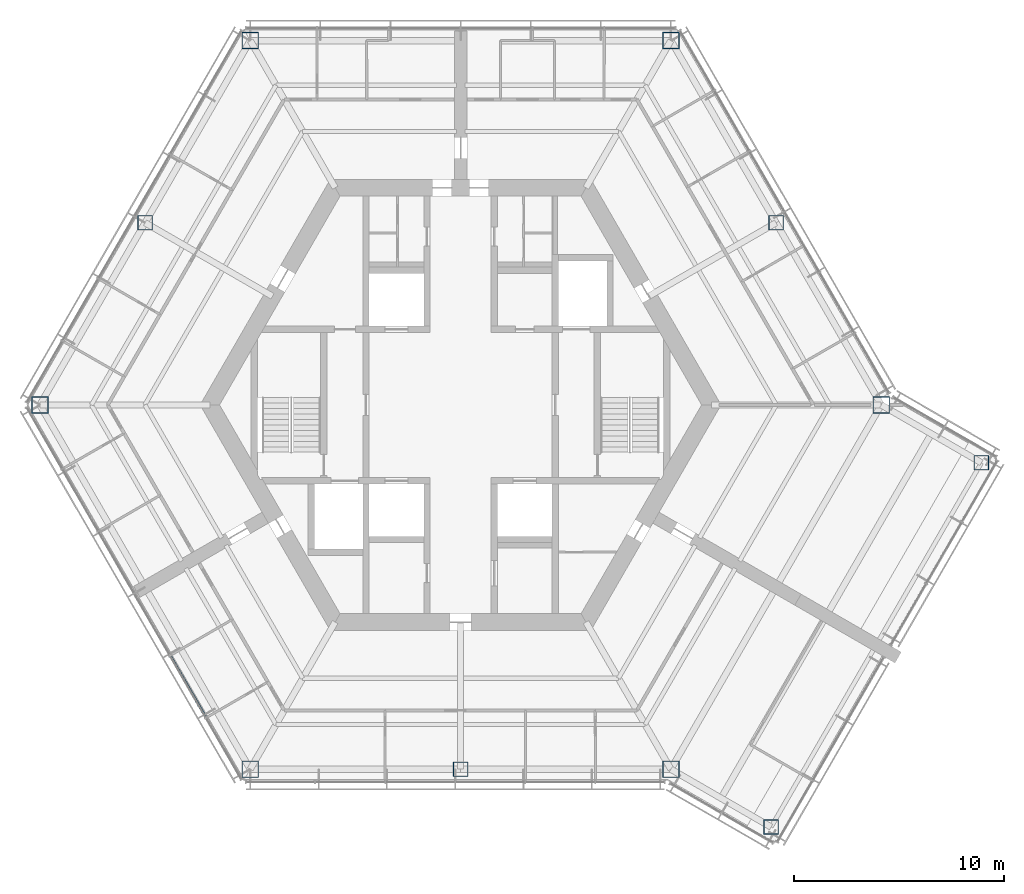
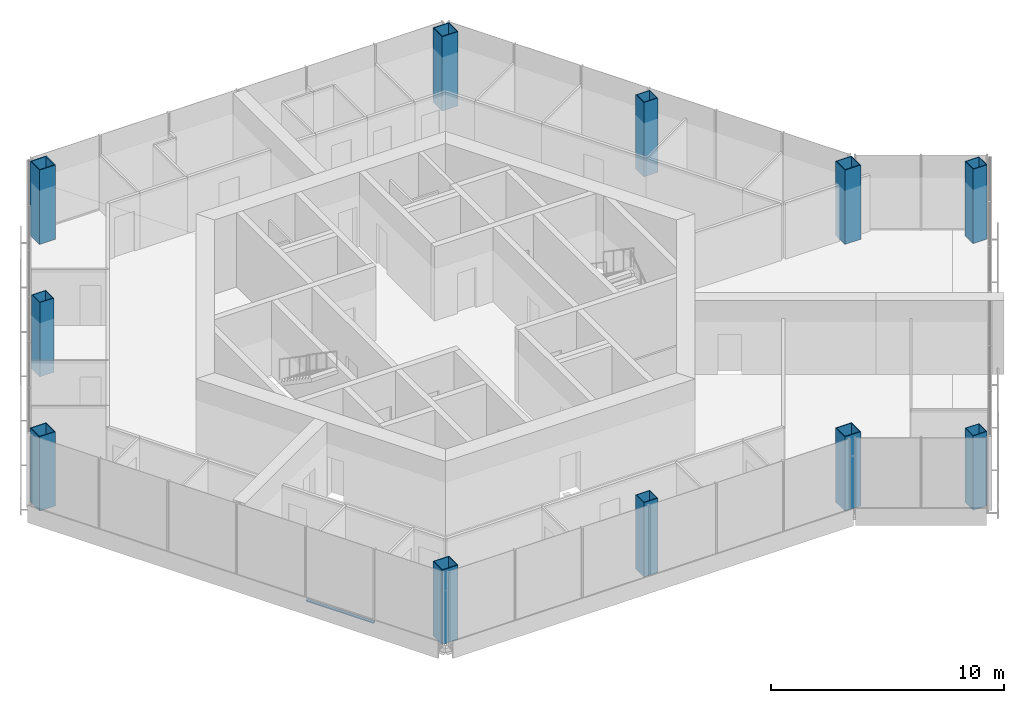
# One storey, part 1 of 13: 11 columns, 1 member, 1 element without a shape of its own.
"""IFC4 building model written with IfcOpenShell, lengths in metres."""

from ifc_helpers import new_model, si_unit, direction, frame, origin, origin_2d, place, context, subcontext, project, spatial, rectangle, hollow_rectangle, extrude, material, material_profile, profile_set, type_object, element, aggregate, save


model = new_model("IFC4")

# Units and contexts
model_context = context("Model", 3, precision=1e-05, world=origin(), true_north=direction((0.0, 1.0)))
body_context = subcontext(model_context, "Body", "Model", "MODEL_VIEW")
ifc_project = project(units=[si_unit("LENGTHUNIT", "METRE"), si_unit("AREAUNIT", "SQUARE_METRE"), si_unit("VOLUMEUNIT", "CUBIC_METRE"), si_unit("PLANEANGLEUNIT", "RADIAN"), si_unit("MASSUNIT", "GRAM", prefix="KILO")], contexts=[model_context])

# Site, building, storey
site_placement = place(None, origin())
site = spatial("IfcSite", under=ifc_project, at=site_placement, CompositionType="ELEMENT")
building_placement = place(site_placement, origin())
building = spatial("IfcBuilding", under=site, at=building_placement, Name="Kasaneha Research Tower", CompositionType="ELEMENT")
storey_placement = place(building_placement, frame((0.0, 0.0, 294.699951171875)))
storey = spatial("IfcBuildingStorey", under=building, at=storey_placement, Name="L74", CompositionType="ELEMENT", Elevation=294.699951171875)

# Columns
ifc_material_1 = material(Name="Steel SN490C", Category="steel")
ifc_material_profile_1 = material_profile(ifc_material_1, hollow_rectangle(XDim=0.800048828125, YDim=0.800048828125, WallThickness=0.0400390625, at=origin_2d()), Name="BOX-800x800x40")
ifc_profile_set_1 = profile_set([ifc_material_profile_1], Name="Steel SN490C")
column_type_1 = type_object("IfcColumnType", Name="C4A column BOX-800x800x40", PredefinedType="COLUMN", material=ifc_profile_set_1)
for number, where, z_axis, x_axis, name in (
    (1, (20.0, 0.0, 0.0), (0.0, 0.0, 1.0), (1.0, 0.0, 0.0), "Column V0 L74"),
    (2, (10.0, 17.320556640625, 0.0), (0.0, 0.0, 1.0), (1.0, 0.0, 0.0), "Column V1 L74"),
    (3, (-10.0, 17.320556640625, 0.0), (0.0, 0.0, 1.0), (1.0, 0.0, 0.0), "Column V2 L74"),
    (4, (-20.0, 0.0, 0.0), (0.0, 0.0, 1.0), (1.0, 0.0, 0.0), "Column V3 L74"),
    (5, (-10.0, -17.320556640625, 0.0), (0.0, 0.0, 1.0), (1.0, 0.0, 0.0), "Column V4 L74"),
    (6, (10.0, -17.320556640625, 0.0), (0.0, 0.0, 1.0), (1.0, 0.0, 0.0), "Column V5 L74"),
):
    element("IfcColumn", number, at=place(storey_placement, frame(where, z_axis=z_axis, x_axis=x_axis)), inside=storey, type_object=column_type_1, Name=name, PredefinedType="COLUMN", context=body_context, shape_type="SweptSolid", body=[
        extrude(hollow_rectangle(XDim=0.800048828125, YDim=0.800048828125, WallThickness=0.0400390625, at=origin_2d()), origin(), (0.0, 0.0, 1.0), 3.900146484375),
    ])
ifc_material_2 = material(Name="Steel SN490C", Category="steel")
ifc_material_profile_2 = material_profile(ifc_material_2, hollow_rectangle(XDim=0.699951171875, YDim=0.699951171875, WallThickness=0.031982421875, at=origin_2d()), Name="BOX-700x700x32")
ifc_profile_set_2 = profile_set([ifc_material_profile_2], Name="Steel SN490C")
column_type_2 = type_object("IfcColumnType", Name="C4B column BOX-700x700x32", PredefinedType="COLUMN", material=ifc_profile_set_2)
for number, where, z_axis, x_axis, name in (
    (7, (15.0, 8.66015625, 0.0), (0.0, 0.0, 1.0), (1.0, 0.0, 0.0), "Column M030 L74"),
    (8, (-15.0, 8.66015625, 0.0), (0.0, 0.0, 1.0), (1.0, 0.0, 0.0), "Column M150 L74"),
    (9, (0.0, -17.320556640625, 0.0), (0.0, 0.0, 1.0), (1.0, 0.0, 0.0), "Column M270 L74"),
    (10, (14.76318359375, -20.070556640625, 0.0), (0.0, 0.0, 1.0), (1.0, 0.0, 0.0), "Column CSP L74"),
    (11, (24.76318359375, -2.75, 0.0), (0.0, 0.0, 1.0), (1.0, 0.0, 0.0), "Column CSN L74"),
):
    element("IfcColumn", number, at=place(storey_placement, frame(where, z_axis=z_axis, x_axis=x_axis)), inside=storey, type_object=column_type_2, Name=name, PredefinedType="COLUMN", context=body_context, shape_type="SweptSolid", body=[
        extrude(hollow_rectangle(XDim=0.699951171875, YDim=0.699951171875, WallThickness=0.031982421875, at=origin_2d()), origin(), (0.0, 0.0, 1.0), 3.900146484375),
    ])

# Curtain wall, member
ifc_material_3 = material(Name="Glass and aluminium", Category="aluminium")
curtain_wall_type = type_object("IfcCurtainWallType", Name="Crown curtain wall", PredefinedType="USERDEFINED", material=ifc_material_3)
curtain_wall_placement = place(storey_placement, origin())
curtain_wall = element("IfcCurtainWall", 12, at=curtain_wall_placement, inside=storey, type_object=curtain_wall_type, Name="CW-C L74 run 04a", ObjectType="UNITISED CURTAIN WALL", PredefinedType="USERDEFINED")
ifc_material_4 = material(Name="Aluminium 6063-T6", Category="aluminium")
ifc_material_profile_3 = material_profile(ifc_material_4, rectangle(XDim=0.1298828125, YDim=0.06005859375, at=origin_2d()), Name="CW-C transom 130x60")
ifc_profile_set_3 = profile_set([ifc_material_profile_3], Name="Aluminium 6063-T6")
member_type = type_object("IfcMemberType", Name="CW-C transom", PredefinedType="USERDEFINED", material=ifc_profile_set_3)
member_placement = place(storey_placement, frame((-13.796875, -11.944091796875, 0.030029296875), z_axis=(0.499989072476, -0.866031712701, 0.0), x_axis=(0.866031712701, 0.499989072476, 0.0)))
member = element("IfcMember", 13, at=member_placement, type_object=member_type, Name="CW-C transom 5", ObjectType="TRANSOM", PredefinedType="USERDEFINED", context=body_context, shape_type="SweptSolid", body=[
    extrude(rectangle(XDim=0.1298828125, YDim=0.06005859375, at=origin_2d()), origin(), (0.0, 0.0, 1.0), 3.35546875),
])
aggregate(curtain_wall, [member])

save(model, "model.ifc")
